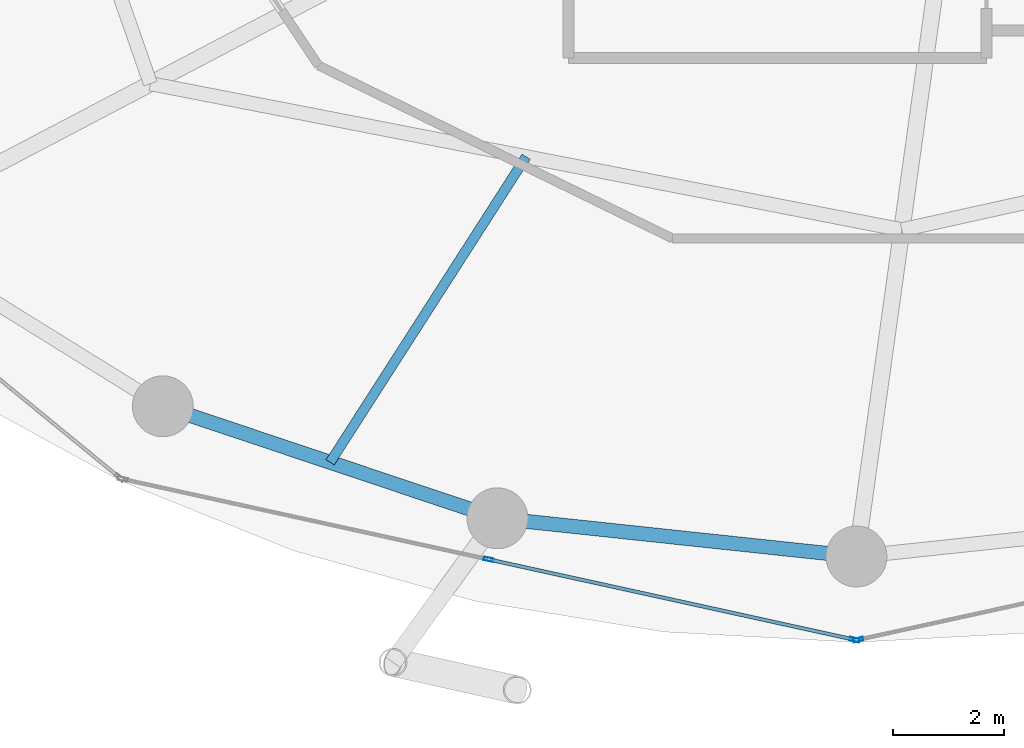
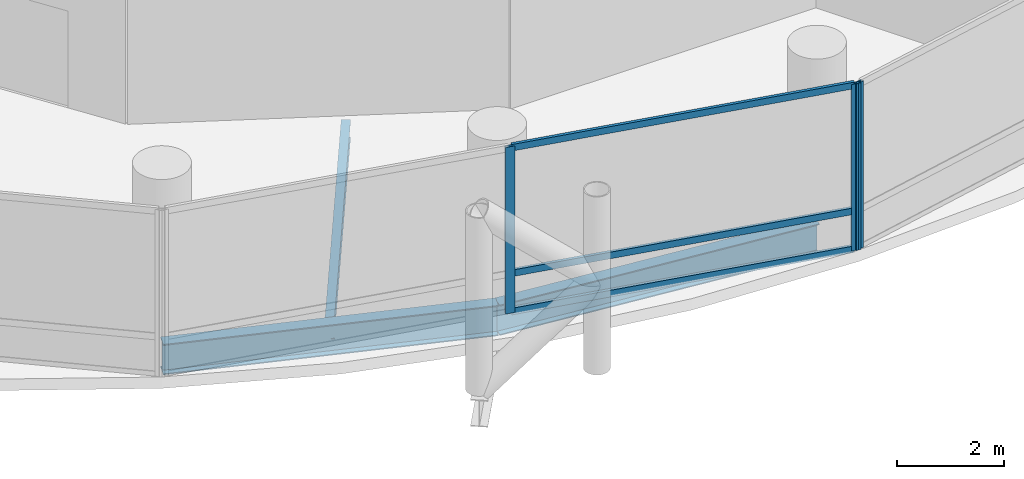
# One storey, part 4 of 24: 6 members, 3 beams, 2 elements without a shape of their own.
"""IFC4 building model written with IfcOpenShell, lengths in metres."""

from ifc_helpers import new_model, si_unit, direction, frame, origin, origin_2d, place, context, subcontext, project, spatial, hollow_rectangle, i_section, extrude, material, layer, layer_set, material_profile, profile_set, type_object, element, aggregate, save


model = new_model("IFC4")

# Units and contexts
model_context = context("Model", 3, precision=1e-05, world=origin(), true_north=direction((0.0, 1.0)))
body_context = subcontext(model_context, "Body", "Model", "MODEL_VIEW")
ifc_project = project(units=[si_unit("LENGTHUNIT", "METRE"), si_unit("AREAUNIT", "SQUARE_METRE"), si_unit("VOLUMEUNIT", "CUBIC_METRE"), si_unit("PLANEANGLEUNIT", "RADIAN"), si_unit("MASSUNIT", "GRAM", prefix="KILO")], contexts=[model_context])

# Site, building, storey
site_placement = place(None, origin())
site = spatial("IfcSite", under=ifc_project, at=site_placement, CompositionType="ELEMENT")
building_placement = place(site_placement, origin())
building = spatial("IfcBuilding", under=site, at=building_placement, Name="Nuhasar Tower", CompositionType="ELEMENT")
storey_placement = place(building_placement, frame((0.0, 0.0, 29.10009765625)))
storey = spatial("IfcBuildingStorey", under=building, at=storey_placement, Name="L06", CompositionType="ELEMENT", Elevation=29.10009765625)

# Beams
ifc_material_1 = material(Name="Steel S355", Category="steel")
ifc_material_profile_1 = material_profile(ifc_material_1, i_section(OverallWidth=0.177978515625, OverallDepth=0.406005859375, WebThickness=0.0078125, FlangeThickness=0.0126953125, at=origin_2d()), Name="W16X40")
ifc_profile_set_1 = profile_set([ifc_material_profile_1], Name="Steel S355")
beam_type_1 = type_object("IfcBeamType", Name="BM-JST-W16X40", PredefinedType="JOIST", material=ifc_profile_set_1)
beam_1_placement = place(storey_placement, frame((33.035888671875, 13.77001953125, -0.463134765625), z_axis=(-0.539944240715, -0.841700788237, 0.0), x_axis=(0.841700788237, -0.539944240715, 0.0)))
element("IfcBeam", 1, at=beam_1_placement, inside=storey, type_object=beam_type_1, Name="L06 Secondary Floor Joist 01", PredefinedType="JOIST", context=body_context, shape_type="SweptSolid", body=[
    extrude(i_section(OverallWidth=0.177978515625, OverallDepth=0.406005859375, WebThickness=0.0078125, FlangeThickness=0.0126953125, at=origin_2d()), origin(), (0.0, 0.0, 1.0), 6.555908203125),
])
ifc_material_profile_2 = material_profile(ifc_material_1, i_section(OverallWidth=0.256103515625, OverallDepth=0.693115234375, WebThickness=0.014404296875, FlangeThickness=0.023681640625, at=origin_2d()), Name="W27X114")
ifc_profile_set_2 = profile_set([ifc_material_profile_2], Name="Steel S355")
beam_type_2 = type_object("IfcBeamType", Name="BM-RING-W27X114", PredefinedType="SPANDREL", material=ifc_profile_set_2)
beam_2_placement = place(storey_placement, frame((26.47509765625, 9.262939453125, -0.606201171875), z_axis=(0.94826097201, -0.317491935271, 0.0), x_axis=(0.317491935271, 0.94826097201, 0.0)))
element("IfcBeam", 2, at=beam_2_placement, inside=storey, type_object=beam_type_2, Name="L06 Perimeter Ring Spandrel 17", PredefinedType="SPANDREL", context=body_context, shape_type="SweptSolid", body=[
    extrude(i_section(OverallWidth=0.256103515625, OverallDepth=0.693115234375, WebThickness=0.014404296875, FlangeThickness=0.023681640625, at=origin_2d()), origin(), (0.0, 0.0, 1.0), 6.37158203125),
])
beam_3_placement = place(storey_placement, frame((32.51708984375, 7.239990234375, -0.606201171875), z_axis=(0.994384554061, -0.105827022286, 0.0), x_axis=(0.105827022286, 0.994384554061, 0.0)))
element("IfcBeam", 3, at=beam_3_placement, inside=storey, type_object=beam_type_2, Name="L06 Perimeter Ring Spandrel 18", PredefinedType="SPANDREL", context=body_context, shape_type="SweptSolid", body=[
    extrude(i_section(OverallWidth=0.256103515625, OverallDepth=0.693115234375, WebThickness=0.014404296875, FlangeThickness=0.023681640625, at=origin_2d()), origin(), (0.0, 0.0, 1.0), 6.51953125),
])

# Curtain wall, members
ifc_material_2 = material(Name="Aluminium 6063-T6", Category="aluminium")
ifc_layer = layer(ifc_material_2, 0.199951171875)
ifc_layer_set = layer_set([ifc_layer], Name="Aluminium 6063-T6")
curtain_wall_type = type_object("IfcCurtainWallType", Name="CW-Z1-OFF", PredefinedType="NOTDEFINED", material=ifc_layer_set)
curtain_wall_1_placement = place(storey_placement, origin())
curtain_wall_1 = element("IfcCurtainWall", 4, at=curtain_wall_1_placement, inside=storey, type_object=curtain_wall_type, Name="L06 Unitised Curtain Wall 09", PredefinedType="NOTDEFINED")
ifc_material_profile_3 = material_profile(ifc_material_2, hollow_rectangle(XDim=0.06494140625, YDim=0.179931640625, WallThickness=0.0048828125, at=origin_2d()), Name="CWM-2")
ifc_profile_set_3 = profile_set([ifc_material_profile_3], Name="Aluminium 6063-T6")
member_type_1 = type_object("IfcMemberType", Name="CW-MUL-S2", PredefinedType="MULLION", material=ifc_profile_set_3)
member_1_placement = place(storey_placement, frame((32.360107421875, 6.49755859375, 0.0), z_axis=(0.0, 0.0, 1.0), x_axis=(0.214398737637, 0.976746221544, 0.0)))
member_1 = element("IfcMember", 5, at=member_1_placement, type_object=member_type_1, Name="CW-Z1 mullion 2", PredefinedType="MULLION", context=body_context, shape_type="SweptSolid", body=[
    extrude(hollow_rectangle(XDim=0.06494140625, YDim=0.179931640625, WallThickness=0.0048828125, at=origin_2d()), origin(), (0.0, 0.0, 1.0), 3.789794921875),
])
member_2_placement = place(storey_placement, frame((38.96826171875, 5.046875, 0.0), z_axis=(0.0, 0.0, 1.0), x_axis=(0.214398737637, 0.976746221544, 0.0)))
member_2 = element("IfcMember", 6, at=member_2_placement, type_object=member_type_1, Name="CW-Z1 mullion 3", PredefinedType="MULLION", context=body_context, shape_type="SweptSolid", body=[
    extrude(hollow_rectangle(XDim=0.06494140625, YDim=0.179931640625, WallThickness=0.0048828125, at=origin_2d()), origin(), (0.0, 0.0, 1.0), 3.789794921875),
])

# Curtain wall, member
curtain_wall_2_placement = place(storey_placement, origin())
curtain_wall_2 = element("IfcCurtainWall", 7, at=curtain_wall_2_placement, inside=storey, type_object=curtain_wall_type, Name="L06 Unitised Curtain Wall 10", PredefinedType="NOTDEFINED")
member_3_placement = place(storey_placement, frame((39.03173828125, 5.046875, 0.0), z_axis=(0.0, 0.0, 1.0), x_axis=(-0.214398737637, 0.976746221544, 0.0)))
member_3 = element("IfcMember", 8, at=member_3_placement, type_object=member_type_1, Name="CW-Z1 mullion 1", PredefinedType="MULLION", context=body_context, shape_type="SweptSolid", body=[
    extrude(hollow_rectangle(XDim=0.06494140625, YDim=0.179931640625, WallThickness=0.0048828125, at=origin_2d()), origin(), (0.0, 0.0, 1.0), 3.789794921875),
])
aggregate(curtain_wall_2, [member_3])

# Member
ifc_material_profile_4 = material_profile(ifc_material_2, hollow_rectangle(XDim=0.06494140625, YDim=0.14990234375, WallThickness=0.00439453125, at=origin_2d()), Name="CWT-2")
ifc_profile_set_4 = profile_set([ifc_material_profile_4], Name="Aluminium 6063-T6")
member_type_2 = type_object("IfcMemberType", Name="CW-TRN-S2", PredefinedType="USERDEFINED", material=ifc_profile_set_4)
member_4_placement = place(storey_placement, frame((32.391845703125, 6.490478515625, 0.032470703125), z_axis=(0.976747879138, -0.214391185916, 0.0), x_axis=(0.214391185916, 0.976747879138, 0.0)))
member_4 = element("IfcMember", 9, at=member_4_placement, type_object=member_type_2, Name="CW-Z1 transom 2.1", ObjectType="TRANSOM", PredefinedType="USERDEFINED", context=body_context, shape_type="SweptSolid", body=[
    extrude(hollow_rectangle(XDim=0.06494140625, YDim=0.14990234375, WallThickness=0.00439453125, at=origin_2d()), origin(), (0.0, 0.0, 1.0), 6.700439453125),
])

member_5_placement = place(storey_placement, frame((32.391845703125, 6.490478515625, 0.89990234375), z_axis=(0.976747879138, -0.214391185916, 0.0), x_axis=(0.214391185916, 0.976747879138, 0.0)))
member_5 = element("IfcMember", 10, at=member_5_placement, type_object=member_type_2, Name="CW-Z1 transom 2.2", ObjectType="TRANSOM", PredefinedType="USERDEFINED", context=body_context, shape_type="SweptSolid", body=[
    extrude(hollow_rectangle(XDim=0.06494140625, YDim=0.14990234375, WallThickness=0.00439453125, at=origin_2d()), origin(), (0.0, 0.0, 1.0), 6.700439453125),
])

member_6_placement = place(storey_placement, frame((32.391845703125, 6.490478515625, 3.75732421875), z_axis=(0.976747879138, -0.214391185916, 0.0), x_axis=(0.214391185916, 0.976747879138, 0.0)))
member_6 = element("IfcMember", 11, at=member_6_placement, type_object=member_type_2, Name="CW-Z1 transom 2.3", ObjectType="TRANSOM", PredefinedType="USERDEFINED", context=body_context, shape_type="SweptSolid", body=[
    extrude(hollow_rectangle(XDim=0.06494140625, YDim=0.14990234375, WallThickness=0.00439453125, at=origin_2d()), origin(), (0.0, 0.0, 1.0), 6.700439453125),
])

aggregate(curtain_wall_1, [member_1, member_2, member_4, member_5, member_6])

save(model, "model.ifc")
